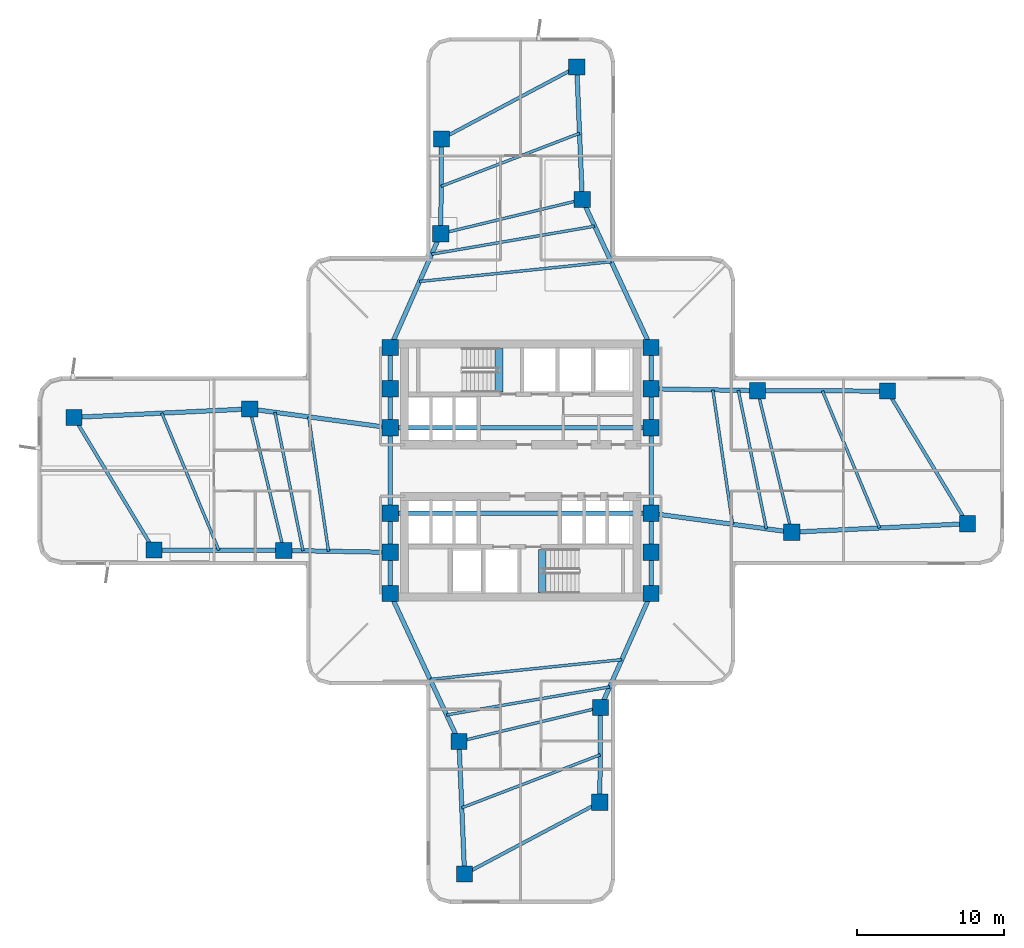
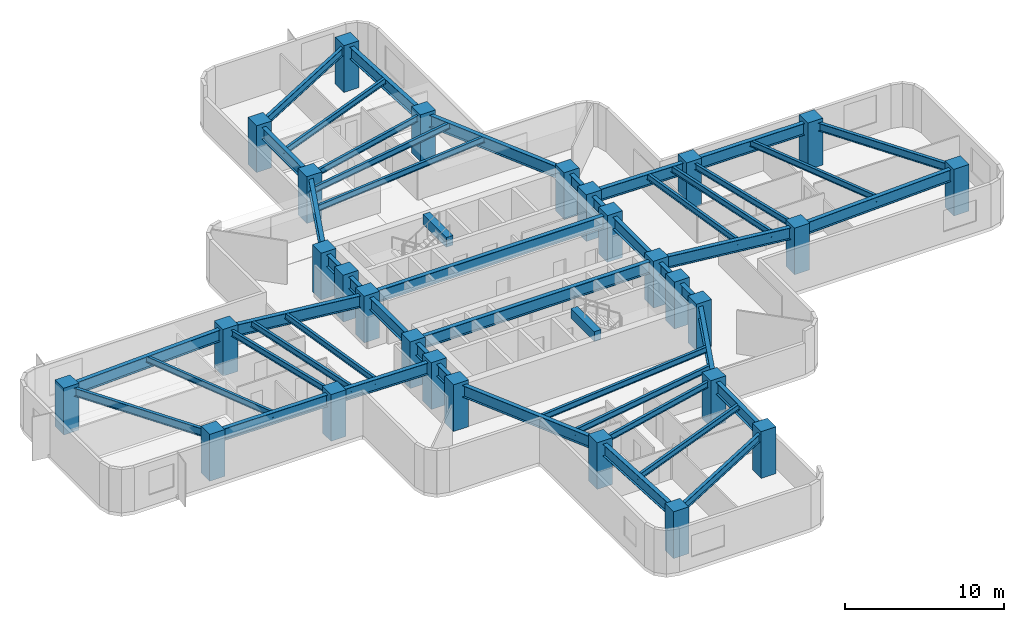
# One storey, part 1 of 9: 50 beams, 28 columns.
"""IFC4 building model written with IfcOpenShell, lengths in metres."""

from ifc_helpers import new_model, si_unit, direction, frame, origin, origin_2d, place, context, subcontext, project, spatial, rectangle, i_section, extrude, material, material_profile, profile_set, type_object, element, save


model = new_model("IFC4")

# Units and contexts
model_context = context("Model", 3, precision=1e-05, world=origin(), true_north=direction((0.0, 1.0)))
body_context = subcontext(model_context, "Body", "Model", "MODEL_VIEW")
ifc_project = project(units=[si_unit("LENGTHUNIT", "METRE"), si_unit("AREAUNIT", "SQUARE_METRE"), si_unit("VOLUMEUNIT", "CUBIC_METRE"), si_unit("PLANEANGLEUNIT", "RADIAN"), si_unit("MASSUNIT", "GRAM", prefix="KILO")], contexts=[model_context])

# Site, building, storey
site_placement = place(None, origin())
site = spatial("IfcSite", under=ifc_project, at=site_placement, CompositionType="ELEMENT")
building_placement = place(site_placement, origin())
building = spatial("IfcBuilding", under=site, at=building_placement, Name="Solmarez Civic Tower", CompositionType="ELEMENT")
storey_placement = place(building_placement, frame((0.0, 0.0, 28.080078125)))
storey = spatial("IfcBuildingStorey", under=building, at=storey_placement, Name="L06", CompositionType="ELEMENT", Elevation=28.080078125)

# Columns
ifc_material_1 = material(Name="Concrete C60/75", Category="concrete")
ifc_material_profile_1 = material_profile(ifc_material_1, rectangle(XDim=1.10009765625, YDim=1.10009765625, at=origin_2d()), Name="RC1100X1100")
ifc_profile_set_1 = profile_set([ifc_material_profile_1], Name="Concrete C60/75")
column_type = type_object("IfcColumnType", Name="COL-RC1100", PredefinedType="COLUMN", material=ifc_profile_set_1)
for number, where, z_axis, x_axis, name in (
    (1, (-8.85009765625, -5.550048828125, 0.0), (0.0, 0.0, 1.0), (1.0, 0.0, 0.0), "L06 Structural Column HC1"),
    (2, (-8.85009765625, -2.89990234375, 0.0), (0.0, 0.0, 1.0), (1.0, 0.0, 0.0), "L06 Structural Column HC2"),
    (3, (-8.85009765625, 2.89990234375, 0.0), (0.0, 0.0, 1.0), (1.0, 0.0, 0.0), "L06 Structural Column HC3"),
    (4, (-8.85009765625, 5.550048828125, 0.0), (0.0, 0.0, 1.0), (1.0, 0.0, 0.0), "L06 Structural Column HC4"),
    (5, (8.85009765625, -5.550048828125, 0.0), (0.0, 0.0, 1.0), (1.0, 0.0, 0.0), "L06 Structural Column HC5"),
    (6, (8.85009765625, -2.89990234375, 0.0), (0.0, 0.0, 1.0), (1.0, 0.0, 0.0), "L06 Structural Column HC6"),
    (7, (8.85009765625, 2.89990234375, 0.0), (0.0, 0.0, 1.0), (1.0, 0.0, 0.0), "L06 Structural Column HC7"),
    (8, (8.85009765625, 5.550048828125, 0.0), (0.0, 0.0, 1.0), (1.0, 0.0, 0.0), "L06 Structural Column HC8"),
    (9, (-8.85009765625, 8.35009765625, 0.0), (0.0, 0.0, 1.0), (1.0, 0.0, 0.0), "L06 Structural Column HC9"),
    (10, (8.85009765625, -8.35009765625, 0.0), (0.0, 0.0, 1.0), (1.0, 0.0, 0.0), "L06 Structural Column HC10"),
    (11, (8.85009765625, 8.35009765625, 0.0), (0.0, 0.0, 1.0), (1.0, 0.0, 0.0), "L06 Structural Column HC11"),
    (12, (-8.85009765625, -8.35009765625, 0.0), (0.0, 0.0, 1.0), (1.0, 0.0, 0.0), "L06 Structural Column HC12"),
    (13, (18.39111328125, -4.18408203125, 0.0), (0.0, 0.0, 1.0), (1.0, 0.0, 0.0), "L06 Structural Column EA11"),
    (14, (16.075927734375, 5.4208984375, 0.0), (0.0, 0.0, 1.0), (1.0, 0.0, 0.0), "L06 Structural Column EA12"),
    (15, (30.318115234375, -3.60888671875, 0.0), (0.0, 0.0, 1.0), (1.0, 0.0, 0.0), "L06 Structural Column EA21"),
    (16, (24.887939453125, 5.39306640625, 0.0), (0.0, 0.0, 1.0), (1.0, 0.0, 0.0), "L06 Structural Column EA22"),
    (17, (4.18408203125, 18.39111328125, 0.0), (0.0, 0.0, 1.0), (1.0, 0.0, 0.0), "L06 Structural Column NA11"),
    (18, (-5.4208984375, 16.075927734375, 0.0), (0.0, 0.0, 1.0), (1.0, 0.0, 0.0), "L06 Structural Column NA12"),
    (19, (3.806884765625, 27.383056640625, 0.0), (0.0, 0.0, 1.0), (1.0, 0.0, 0.0), "L06 Structural Column NA21"),
    (20, (-5.3720703125, 22.507080078125, 0.0), (0.0, 0.0, 1.0), (1.0, 0.0, 0.0), "L06 Structural Column NA22"),
    (21, (-18.39111328125, 4.18408203125, 0.0), (0.0, 0.0, 1.0), (1.0, 0.0, 0.0), "L06 Structural Column WA11"),
    (22, (-16.075927734375, -5.4208984375, 0.0), (0.0, 0.0, 1.0), (1.0, 0.0, 0.0), "L06 Structural Column WA12"),
    (23, (-30.318115234375, 3.60888671875, 0.0), (0.0, 0.0, 1.0), (1.0, 0.0, 0.0), "L06 Structural Column WA21"),
    (24, (-24.887939453125, -5.39306640625, 0.0), (0.0, 0.0, 1.0), (1.0, 0.0, 0.0), "L06 Structural Column WA22"),
    (25, (-4.18408203125, -18.39111328125, 0.0), (0.0, 0.0, 1.0), (1.0, 0.0, 0.0), "L06 Structural Column SA11"),
    (26, (5.4208984375, -16.075927734375, 0.0), (0.0, 0.0, 1.0), (1.0, 0.0, 0.0), "L06 Structural Column SA12"),
    (27, (-3.806884765625, -27.383056640625, 0.0), (0.0, 0.0, 1.0), (1.0, 0.0, 0.0), "L06 Structural Column SA21"),
    (28, (5.3720703125, -22.507080078125, 0.0), (0.0, 0.0, 1.0), (1.0, 0.0, 0.0), "L06 Structural Column SA22"),
):
    element("IfcColumn", number, at=place(storey_placement, frame(where, z_axis=z_axis, x_axis=x_axis)), inside=storey, type_object=column_type, Name=name, PredefinedType="COLUMN", context=body_context, shape_type="SweptSolid", body=[
        extrude(rectangle(XDim=1.10009765625, YDim=1.10009765625, at=origin_2d()), origin(), (0.0, 0.0, 1.0), 3.599853515625),
    ])

# Beams
ifc_material_2 = material(Name="Steel S355", Category="steel")
ifc_material_profile_2 = material_profile(ifc_material_2, i_section(OverallWidth=0.19189453125, OverallDepth=0.462890625, WebThickness=0.010498046875, FlangeThickness=0.017578125, at=origin_2d()), Name="W18X60")
ifc_profile_set_2 = profile_set([ifc_material_profile_2], Name="Steel S355")
beam_type_1 = type_object("IfcBeamType", Name="BM-JS-W18X60", PredefinedType="JOIST", material=ifc_profile_set_2)
beam_1_placement = place(storey_placement, frame((18.39111328125, -4.18408203125, 3.10888671875), z_axis=(-0.234328919867, 0.97215737271, 0.0), x_axis=(-0.97215737271, -0.234328919867, 0.0)))
element("IfcBeam", 29, at=beam_1_placement, inside=storey, type_object=beam_type_1, Name="L06 Secondary Floor Joist BM-L06-EA-T1", PredefinedType="JOIST", context=body_context, shape_type="SweptSolid", body=[
    extrude(i_section(OverallWidth=0.19189453125, OverallDepth=0.462890625, WebThickness=0.010498046875, FlangeThickness=0.017578125, at=origin_2d()), origin(), (0.0, 0.0, 1.0), 9.880126953125),
])
beam_2_placement = place(storey_placement, frame((24.35498046875, -3.89697265625, 3.10888671875), z_axis=(-0.384310898391, 0.923203733408, 0.0), x_axis=(-0.923203733408, -0.384310898391, 0.0)))
element("IfcBeam", 30, at=beam_2_placement, inside=storey, type_object=beam_type_1, Name="L06 Secondary Floor Joist JS-L06-EA-M2", PredefinedType="JOIST", context=body_context, shape_type="SweptSolid", body=[
    extrude(i_section(OverallWidth=0.19189453125, OverallDepth=0.462890625, WebThickness=0.010498046875, FlangeThickness=0.017578125, at=origin_2d()), origin(), (0.0, 0.0, 1.0), 10.077880859375),
])
beam_3_placement = place(storey_placement, frame((14.384033203125, -3.64501953125, 3.10888671875), z_axis=(-0.145687649447, 0.989330636743, 0.0), x_axis=(-0.989330636743, -0.145687649447, 0.0)))
element("IfcBeam", 31, at=beam_3_placement, inside=storey, type_object=beam_type_1, Name="L06 Secondary Floor Joist JS-L06-EA-M11", PredefinedType="JOIST", context=body_context, shape_type="SweptSolid", body=[
    extrude(i_section(OverallWidth=0.19189453125, OverallDepth=0.462890625, WebThickness=0.010498046875, FlangeThickness=0.017578125, at=origin_2d()), origin(), (0.0, 0.0, 1.0), 9.218505859375),
])
beam_4_placement = place(storey_placement, frame((16.674072265625, -3.952880859375, 3.10888671875), z_axis=(-0.198099134772, 0.980181989634, 0.0), x_axis=(-0.980181989634, -0.198099134772, 0.0)))
element("IfcBeam", 32, at=beam_4_placement, inside=storey, type_object=beam_type_1, Name="L06 Secondary Floor Joist JS-L06-EA-M12", PredefinedType="JOIST", context=body_context, shape_type="SweptSolid", body=[
    extrude(i_section(OverallWidth=0.19189453125, OverallDepth=0.462890625, WebThickness=0.010498046875, FlangeThickness=0.017578125, at=origin_2d()), origin(), (0.0, 0.0, 1.0), 9.5869140625),
])
beam_5_placement = place(storey_placement, frame((4.18408203125, 18.39111328125, 3.10888671875), z_axis=(-0.97215737271, -0.234328919867, 0.0), x_axis=(0.234328919867, -0.97215737271, 0.0)))
element("IfcBeam", 33, at=beam_5_placement, inside=storey, type_object=beam_type_1, Name="L06 Secondary Floor Joist BM-L06-NA-T1", PredefinedType="JOIST", context=body_context, shape_type="SweptSolid", body=[
    extrude(i_section(OverallWidth=0.19189453125, OverallDepth=0.462890625, WebThickness=0.010498046875, FlangeThickness=0.017578125, at=origin_2d()), origin(), (0.0, 0.0, 1.0), 9.880126953125),
])
beam_6_placement = place(storey_placement, frame((3.9951171875, 22.886962890625, 3.10888671875), z_axis=(-0.933878315551, -0.357590955903, 0.0), x_axis=(0.357590955903, -0.933878315551, 0.0)))
element("IfcBeam", 34, at=beam_6_placement, inside=storey, type_object=beam_type_1, Name="L06 Secondary Floor Joist JS-L06-NA-M2", PredefinedType="JOIST", context=body_context, shape_type="SweptSolid", body=[
    extrude(i_section(OverallWidth=0.19189453125, OverallDepth=0.462890625, WebThickness=0.010498046875, FlangeThickness=0.017578125, at=origin_2d()), origin(), (0.0, 0.0, 1.0), 10.05615234375),
])
beam_7_placement = place(storey_placement, frame((6.14404296875, 14.174072265625, 3.10888671875), z_axis=(-0.9947100999, -0.102722038325, 0.0), x_axis=(0.102722038325, -0.9947100999, 0.0)))
element("IfcBeam", 35, at=beam_7_placement, inside=storey, type_object=beam_type_1, Name="L06 Secondary Floor Joist JS-L06-NA-M11", PredefinedType="JOIST", context=body_context, shape_type="SweptSolid", body=[
    extrude(i_section(OverallWidth=0.19189453125, OverallDepth=0.462890625, WebThickness=0.010498046875, FlangeThickness=0.017578125, at=origin_2d()), origin(), (0.0, 0.0, 1.0), 13.07421875),
])
beam_8_placement = place(storey_placement, frame((5.02392578125, 16.583984375, 3.10888671875), z_axis=(-0.985583934907, -0.169187195889, 0.0), x_axis=(0.169187195889, -0.985583934907, 0.0)))
element("IfcBeam", 36, at=beam_8_placement, inside=storey, type_object=beam_type_1, Name="L06 Secondary Floor Joist JS-L06-NA-M12", PredefinedType="JOIST", context=body_context, shape_type="SweptSolid", body=[
    extrude(i_section(OverallWidth=0.19189453125, OverallDepth=0.462890625, WebThickness=0.010498046875, FlangeThickness=0.017578125, at=origin_2d()), origin(), (0.0, 0.0, 1.0), 11.223876953125),
])
beam_9_placement = place(storey_placement, frame((-18.39111328125, 4.18408203125, 3.10888671875), z_axis=(0.234328919867, -0.97215737271, 0.0), x_axis=(0.97215737271, 0.234328919867, 0.0)))
element("IfcBeam", 37, at=beam_9_placement, inside=storey, type_object=beam_type_1, Name="L06 Secondary Floor Joist BM-L06-WA-T1", PredefinedType="JOIST", context=body_context, shape_type="SweptSolid", body=[
    extrude(i_section(OverallWidth=0.19189453125, OverallDepth=0.462890625, WebThickness=0.010498046875, FlangeThickness=0.017578125, at=origin_2d()), origin(), (0.0, 0.0, 1.0), 9.880126953125),
])
beam_10_placement = place(storey_placement, frame((-24.35498046875, 3.89697265625, 3.10888671875), z_axis=(0.384310898391, -0.923203733408, 0.0), x_axis=(0.923203733408, 0.384310898391, 0.0)))
element("IfcBeam", 38, at=beam_10_placement, inside=storey, type_object=beam_type_1, Name="L06 Secondary Floor Joist JS-L06-WA-M2", PredefinedType="JOIST", context=body_context, shape_type="SweptSolid", body=[
    extrude(i_section(OverallWidth=0.19189453125, OverallDepth=0.462890625, WebThickness=0.010498046875, FlangeThickness=0.017578125, at=origin_2d()), origin(), (0.0, 0.0, 1.0), 10.077880859375),
])
beam_11_placement = place(storey_placement, frame((-14.384033203125, 3.64501953125, 3.10888671875), z_axis=(0.145687649447, -0.989330636743, 0.0), x_axis=(0.989330636743, 0.145687649447, 0.0)))
element("IfcBeam", 39, at=beam_11_placement, inside=storey, type_object=beam_type_1, Name="L06 Secondary Floor Joist JS-L06-WA-M11", PredefinedType="JOIST", context=body_context, shape_type="SweptSolid", body=[
    extrude(i_section(OverallWidth=0.19189453125, OverallDepth=0.462890625, WebThickness=0.010498046875, FlangeThickness=0.017578125, at=origin_2d()), origin(), (0.0, 0.0, 1.0), 9.218505859375),
])
beam_12_placement = place(storey_placement, frame((-16.674072265625, 3.952880859375, 3.10888671875), z_axis=(0.198099134772, -0.980181989634, 0.0), x_axis=(0.980181989634, 0.198099134772, 0.0)))
element("IfcBeam", 40, at=beam_12_placement, inside=storey, type_object=beam_type_1, Name="L06 Secondary Floor Joist JS-L06-WA-M12", PredefinedType="JOIST", context=body_context, shape_type="SweptSolid", body=[
    extrude(i_section(OverallWidth=0.19189453125, OverallDepth=0.462890625, WebThickness=0.010498046875, FlangeThickness=0.017578125, at=origin_2d()), origin(), (0.0, 0.0, 1.0), 9.5869140625),
])
beam_13_placement = place(storey_placement, frame((-4.18408203125, -18.39111328125, 3.10888671875), z_axis=(0.97215737271, 0.234328919867, 0.0), x_axis=(-0.234328919867, 0.97215737271, 0.0)))
element("IfcBeam", 41, at=beam_13_placement, inside=storey, type_object=beam_type_1, Name="L06 Secondary Floor Joist BM-L06-SA-T1", PredefinedType="JOIST", context=body_context, shape_type="SweptSolid", body=[
    extrude(i_section(OverallWidth=0.19189453125, OverallDepth=0.462890625, WebThickness=0.010498046875, FlangeThickness=0.017578125, at=origin_2d()), origin(), (0.0, 0.0, 1.0), 9.880126953125),
])
beam_14_placement = place(storey_placement, frame((-3.9951171875, -22.886962890625, 3.10888671875), z_axis=(0.933878315551, 0.357590955903, 0.0), x_axis=(-0.357590955903, 0.933878315551, 0.0)))
element("IfcBeam", 42, at=beam_14_placement, inside=storey, type_object=beam_type_1, Name="L06 Secondary Floor Joist JS-L06-SA-M2", PredefinedType="JOIST", context=body_context, shape_type="SweptSolid", body=[
    extrude(i_section(OverallWidth=0.19189453125, OverallDepth=0.462890625, WebThickness=0.010498046875, FlangeThickness=0.017578125, at=origin_2d()), origin(), (0.0, 0.0, 1.0), 10.05615234375),
])
beam_15_placement = place(storey_placement, frame((-6.14404296875, -14.174072265625, 3.10888671875), z_axis=(0.9947100999, 0.102722038325, 0.0), x_axis=(-0.102722038325, 0.9947100999, 0.0)))
element("IfcBeam", 43, at=beam_15_placement, inside=storey, type_object=beam_type_1, Name="L06 Secondary Floor Joist JS-L06-SA-M11", PredefinedType="JOIST", context=body_context, shape_type="SweptSolid", body=[
    extrude(i_section(OverallWidth=0.19189453125, OverallDepth=0.462890625, WebThickness=0.010498046875, FlangeThickness=0.017578125, at=origin_2d()), origin(), (0.0, 0.0, 1.0), 13.07421875),
])
beam_16_placement = place(storey_placement, frame((-5.02392578125, -16.583984375, 3.10888671875), z_axis=(0.985583934907, 0.169187195889, 0.0), x_axis=(-0.169187195889, 0.985583934907, 0.0)))
element("IfcBeam", 44, at=beam_16_placement, inside=storey, type_object=beam_type_1, Name="L06 Secondary Floor Joist JS-L06-SA-M12", PredefinedType="JOIST", context=body_context, shape_type="SweptSolid", body=[
    extrude(i_section(OverallWidth=0.19189453125, OverallDepth=0.462890625, WebThickness=0.010498046875, FlangeThickness=0.017578125, at=origin_2d()), origin(), (0.0, 0.0, 1.0), 11.223876953125),
])
ifc_material_3 = material(Name="Concrete C50/60", Category="concrete")
ifc_material_profile_3 = material_profile(ifc_material_3, rectangle(XDim=0.5, YDim=0.75, at=origin_2d()), Name="RC500X750")
ifc_profile_set_3 = profile_set([ifc_material_profile_3], Name="Concrete C50/60")
beam_type_2 = type_object("IfcBeamType", Name="BM-PR-RC500X750", PredefinedType="BEAM", material=ifc_profile_set_3)
for number, where, z_axis, x_axis, name in (
    (45, (-1.449951171875, 5.340087890625, 3.23291015625), (0.0, 1.0, 0.0), (-1.0, 0.0, 0.0), "L06 North Stair Threshold Beam"),
    (46, (1.449951171875, -8.300048828125, 3.23291015625), (0.0, 1.0, 0.0), (-1.0, 0.0, 0.0), "L06 South Stair Threshold Beam"),
):
    element("IfcBeam", number, at=place(storey_placement, frame(where, z_axis=z_axis, x_axis=x_axis)), inside=storey, type_object=beam_type_2, Name=name, PredefinedType="BEAM", context=body_context, shape_type="SweptSolid", body=[
        extrude(rectangle(XDim=0.5, YDim=0.75, at=origin_2d()), origin(), (0.0, 0.0, 1.0), 2.9599609375),
    ])
ifc_material_profile_4 = material_profile(ifc_material_2, i_section(OverallWidth=0.303955078125, OverallDepth=0.910888671875, WebThickness=0.015869140625, FlangeThickness=0.02392578125, at=origin_2d()), Name="W36X150")
ifc_profile_set_4 = profile_set([ifc_material_profile_4], Name="Steel S355")
beam_type_3 = type_object("IfcBeamType", Name="BM-PR-W36X150", PredefinedType="BEAM", material=ifc_profile_set_4)
beam_17_placement = place(storey_placement, frame((8.85009765625, -2.89990234375, 2.885009765625), z_axis=(0.991063240718, -0.133392851745, 0.0), x_axis=(0.133392851745, 0.991063240718, 0.0)))
element("IfcBeam", 47, at=beam_17_placement, inside=storey, type_object=beam_type_3, Name="L06 Primary Floor Beam BM-L06-EA-R1A", PredefinedType="BEAM", context=body_context, shape_type="SweptSolid", body=[
    extrude(i_section(OverallWidth=0.303955078125, OverallDepth=0.910888671875, WebThickness=0.015869140625, FlangeThickness=0.02392578125, at=origin_2d()), origin(), (0.0, 0.0, 1.0), 9.626953125),
])
beam_18_placement = place(storey_placement, frame((8.85009765625, 5.550048828125, 2.885009765625), z_axis=(0.999840308455, -0.017870578882, 0.0), x_axis=(0.017870578882, 0.999840308455, 0.0)))
element("IfcBeam", 48, at=beam_18_placement, inside=storey, type_object=beam_type_3, Name="L06 Primary Floor Beam BM-L06-EA-R1B", PredefinedType="BEAM", context=body_context, shape_type="SweptSolid", body=[
    extrude(i_section(OverallWidth=0.303955078125, OverallDepth=0.910888671875, WebThickness=0.015869140625, FlangeThickness=0.02392578125, at=origin_2d()), origin(), (0.0, 0.0, 1.0), 7.22705078125),
])
beam_19_placement = place(storey_placement, frame((18.39111328125, -4.18408203125, 2.885009765625), z_axis=(0.998839135977, 0.048170327398, 0.0), x_axis=(-0.048170327398, 0.998839135977, 0.0)))
element("IfcBeam", 49, at=beam_19_placement, inside=storey, type_object=beam_type_3, Name="L06 Primary Floor Beam BM-L06-EA-R2A", PredefinedType="BEAM", context=body_context, shape_type="SweptSolid", body=[
    extrude(i_section(OverallWidth=0.303955078125, OverallDepth=0.910888671875, WebThickness=0.015869140625, FlangeThickness=0.02392578125, at=origin_2d()), origin(), (0.0, 0.0, 1.0), 11.94091796875),
])
beam_20_placement = place(storey_placement, frame((16.075927734375, 5.4208984375, 2.885009765625), z_axis=(0.99999501223, -0.003158403928, 0.0), x_axis=(0.003158403928, 0.99999501223, 0.0)))
element("IfcBeam", 50, at=beam_20_placement, inside=storey, type_object=beam_type_3, Name="L06 Primary Floor Beam BM-L06-EA-R2B", PredefinedType="BEAM", context=body_context, shape_type="SweptSolid", body=[
    extrude(i_section(OverallWidth=0.303955078125, OverallDepth=0.910888671875, WebThickness=0.015869140625, FlangeThickness=0.02392578125, at=origin_2d()), origin(), (0.0, 0.0, 1.0), 8.81201171875),
])
beam_21_placement = place(storey_placement, frame((8.85009765625, 8.35009765625, 2.885009765625), z_axis=(-0.421417065364, 0.906866945599, 0.0), x_axis=(-0.906866945599, -0.421417065364, 0.0)))
element("IfcBeam", 51, at=beam_21_placement, inside=storey, type_object=beam_type_3, Name="L06 Primary Floor Beam BM-L06-NA-R1A", PredefinedType="BEAM", context=body_context, shape_type="SweptSolid", body=[
    extrude(i_section(OverallWidth=0.303955078125, OverallDepth=0.910888671875, WebThickness=0.015869140625, FlangeThickness=0.02392578125, at=origin_2d()), origin(), (0.0, 0.0, 1.0), 11.072265625),
])
beam_22_placement = place(storey_placement, frame((-8.85009765625, 8.35009765625, 2.885009765625), z_axis=(0.405693556952, 0.914009156326, 0.0), x_axis=(-0.914009156326, 0.405693556952, 0.0)))
element("IfcBeam", 52, at=beam_22_placement, inside=storey, type_object=beam_type_3, Name="L06 Primary Floor Beam BM-L06-NA-R1B", PredefinedType="BEAM", context=body_context, shape_type="SweptSolid", body=[
    extrude(i_section(OverallWidth=0.303955078125, OverallDepth=0.910888671875, WebThickness=0.015869140625, FlangeThickness=0.02392578125, at=origin_2d()), origin(), (0.0, 0.0, 1.0), 8.45263671875),
])
beam_23_placement = place(storey_placement, frame((4.18408203125, 18.39111328125, 2.885009765625), z_axis=(-0.041911499832, 0.999121327058, 0.0), x_axis=(-0.999121327058, -0.041911499832, 0.0)))
element("IfcBeam", 53, at=beam_23_placement, inside=storey, type_object=beam_type_3, Name="L06 Primary Floor Beam BM-L06-NA-R2A", PredefinedType="BEAM", context=body_context, shape_type="SweptSolid", body=[
    extrude(i_section(OverallWidth=0.303955078125, OverallDepth=0.910888671875, WebThickness=0.015869140625, FlangeThickness=0.02392578125, at=origin_2d()), origin(), (0.0, 0.0, 1.0), 8.999755859375),
])
beam_24_placement = place(storey_placement, frame((-5.4208984375, 16.075927734375, 2.885009765625), z_axis=(0.007592219108, 0.999971178689, 0.0), x_axis=(-0.999971178689, 0.007592219108, 0.0)))
element("IfcBeam", 54, at=beam_24_placement, inside=storey, type_object=beam_type_3, Name="L06 Primary Floor Beam BM-L06-NA-R2B", PredefinedType="BEAM", context=body_context, shape_type="SweptSolid", body=[
    extrude(i_section(OverallWidth=0.303955078125, OverallDepth=0.910888671875, WebThickness=0.015869140625, FlangeThickness=0.02392578125, at=origin_2d()), origin(), (0.0, 0.0, 1.0), 6.431396484375),
])
beam_25_placement = place(storey_placement, frame((-8.85009765625, 2.89990234375, 2.885009765625), z_axis=(-0.991063240718, 0.133392851745, 0.0), x_axis=(-0.133392851745, -0.991063240718, 0.0)))
element("IfcBeam", 55, at=beam_25_placement, inside=storey, type_object=beam_type_3, Name="L06 Primary Floor Beam BM-L06-WA-R1A", PredefinedType="BEAM", context=body_context, shape_type="SweptSolid", body=[
    extrude(i_section(OverallWidth=0.303955078125, OverallDepth=0.910888671875, WebThickness=0.015869140625, FlangeThickness=0.02392578125, at=origin_2d()), origin(), (0.0, 0.0, 1.0), 9.626953125),
])
beam_26_placement = place(storey_placement, frame((-8.85009765625, -5.550048828125, 2.885009765625), z_axis=(-0.999840308455, 0.017870578882, 0.0), x_axis=(-0.017870578882, -0.999840308455, 0.0)))
element("IfcBeam", 56, at=beam_26_placement, inside=storey, type_object=beam_type_3, Name="L06 Primary Floor Beam BM-L06-WA-R1B", PredefinedType="BEAM", context=body_context, shape_type="SweptSolid", body=[
    extrude(i_section(OverallWidth=0.303955078125, OverallDepth=0.910888671875, WebThickness=0.015869140625, FlangeThickness=0.02392578125, at=origin_2d()), origin(), (0.0, 0.0, 1.0), 7.22705078125),
])
beam_27_placement = place(storey_placement, frame((-18.39111328125, 4.18408203125, 2.885009765625), z_axis=(-0.998839135977, -0.048170327398, 0.0), x_axis=(0.048170327398, -0.998839135977, 0.0)))
element("IfcBeam", 57, at=beam_27_placement, inside=storey, type_object=beam_type_3, Name="L06 Primary Floor Beam BM-L06-WA-R2A", PredefinedType="BEAM", context=body_context, shape_type="SweptSolid", body=[
    extrude(i_section(OverallWidth=0.303955078125, OverallDepth=0.910888671875, WebThickness=0.015869140625, FlangeThickness=0.02392578125, at=origin_2d()), origin(), (0.0, 0.0, 1.0), 11.94091796875),
])
beam_28_placement = place(storey_placement, frame((-16.075927734375, -5.4208984375, 2.885009765625), z_axis=(-0.99999501223, 0.003158403928, 0.0), x_axis=(-0.003158403928, -0.99999501223, 0.0)))
element("IfcBeam", 58, at=beam_28_placement, inside=storey, type_object=beam_type_3, Name="L06 Primary Floor Beam BM-L06-WA-R2B", PredefinedType="BEAM", context=body_context, shape_type="SweptSolid", body=[
    extrude(i_section(OverallWidth=0.303955078125, OverallDepth=0.910888671875, WebThickness=0.015869140625, FlangeThickness=0.02392578125, at=origin_2d()), origin(), (0.0, 0.0, 1.0), 8.81201171875),
])
beam_29_placement = place(storey_placement, frame((-8.85009765625, -8.35009765625, 2.885009765625), z_axis=(0.421417065364, -0.906866945599, 0.0), x_axis=(0.906866945599, 0.421417065364, 0.0)))
element("IfcBeam", 59, at=beam_29_placement, inside=storey, type_object=beam_type_3, Name="L06 Primary Floor Beam BM-L06-SA-R1A", PredefinedType="BEAM", context=body_context, shape_type="SweptSolid", body=[
    extrude(i_section(OverallWidth=0.303955078125, OverallDepth=0.910888671875, WebThickness=0.015869140625, FlangeThickness=0.02392578125, at=origin_2d()), origin(), (0.0, 0.0, 1.0), 11.072265625),
])
beam_30_placement = place(storey_placement, frame((8.85009765625, -8.35009765625, 2.885009765625), z_axis=(-0.405693556952, -0.914009156326, 0.0), x_axis=(0.914009156326, -0.405693556952, 0.0)))
element("IfcBeam", 60, at=beam_30_placement, inside=storey, type_object=beam_type_3, Name="L06 Primary Floor Beam BM-L06-SA-R1B", PredefinedType="BEAM", context=body_context, shape_type="SweptSolid", body=[
    extrude(i_section(OverallWidth=0.303955078125, OverallDepth=0.910888671875, WebThickness=0.015869140625, FlangeThickness=0.02392578125, at=origin_2d()), origin(), (0.0, 0.0, 1.0), 8.45263671875),
])
beam_31_placement = place(storey_placement, frame((-4.18408203125, -18.39111328125, 2.885009765625), z_axis=(0.041911499832, -0.999121327058, 0.0), x_axis=(0.999121327058, 0.041911499832, 0.0)))
element("IfcBeam", 61, at=beam_31_placement, inside=storey, type_object=beam_type_3, Name="L06 Primary Floor Beam BM-L06-SA-R2A", PredefinedType="BEAM", context=body_context, shape_type="SweptSolid", body=[
    extrude(i_section(OverallWidth=0.303955078125, OverallDepth=0.910888671875, WebThickness=0.015869140625, FlangeThickness=0.02392578125, at=origin_2d()), origin(), (0.0, 0.0, 1.0), 8.999755859375),
])
beam_32_placement = place(storey_placement, frame((5.4208984375, -16.075927734375, 2.885009765625), z_axis=(-0.007592219108, -0.999971178689, 0.0), x_axis=(0.999971178689, -0.007592219108, 0.0)))
element("IfcBeam", 62, at=beam_32_placement, inside=storey, type_object=beam_type_3, Name="L06 Primary Floor Beam BM-L06-SA-R2B", PredefinedType="BEAM", context=body_context, shape_type="SweptSolid", body=[
    extrude(i_section(OverallWidth=0.303955078125, OverallDepth=0.910888671875, WebThickness=0.015869140625, FlangeThickness=0.02392578125, at=origin_2d()), origin(), (0.0, 0.0, 1.0), 6.431396484375),
])
ifc_material_profile_5 = material_profile(ifc_material_2, i_section(OverallWidth=0.306884765625, OverallDepth=0.927001953125, WebThickness=0.019287109375, FlangeThickness=0.031982421875, at=origin_2d()), Name="W36X194")
ifc_profile_set_5 = profile_set([ifc_material_profile_5], Name="Steel S355")
beam_type_4 = type_object("IfcBeamType", Name="BM-PR-W36X194", PredefinedType="BEAM", material=ifc_profile_set_5)
beam_33_placement = place(storey_placement, frame((-8.85009765625, -8.35009765625, 2.876953125), z_axis=(0.0, 1.0, 0.0), x_axis=(-1.0, 0.0, 0.0)))
element("IfcBeam", 63, at=beam_33_placement, inside=storey, type_object=beam_type_4, Name="L06 Primary Floor Beam BM-L06-HC12-HC1", PredefinedType="BEAM", context=body_context, shape_type="SweptSolid", body=[
    extrude(i_section(OverallWidth=0.306884765625, OverallDepth=0.927001953125, WebThickness=0.019287109375, FlangeThickness=0.031982421875, at=origin_2d()), origin(), (0.0, 0.0, 1.0), 2.800048828125),
])
beam_34_placement = place(storey_placement, frame((-8.85009765625, -5.550048828125, 2.876953125), z_axis=(0.0, 1.0, 0.0), x_axis=(-1.0, 0.0, 0.0)))
element("IfcBeam", 64, at=beam_34_placement, inside=storey, type_object=beam_type_4, Name="L06 Primary Floor Beam BM-L06-HC1-HC2", PredefinedType="BEAM", context=body_context, shape_type="SweptSolid", body=[
    extrude(i_section(OverallWidth=0.306884765625, OverallDepth=0.927001953125, WebThickness=0.019287109375, FlangeThickness=0.031982421875, at=origin_2d()), origin(), (0.0, 0.0, 1.0), 2.650146484375),
])
beam_35_placement = place(storey_placement, frame((-8.85009765625, -2.89990234375, 2.876953125), z_axis=(0.0, 1.0, 0.0), x_axis=(-1.0, 0.0, 0.0)))
element("IfcBeam", 65, at=beam_35_placement, inside=storey, type_object=beam_type_4, Name="L06 Primary Floor Beam BM-L06-HC2-HC3", PredefinedType="BEAM", context=body_context, shape_type="SweptSolid", body=[
    extrude(i_section(OverallWidth=0.306884765625, OverallDepth=0.927001953125, WebThickness=0.019287109375, FlangeThickness=0.031982421875, at=origin_2d()), origin(), (0.0, 0.0, 1.0), 5.7998046875),
])
beam_36_placement = place(storey_placement, frame((-8.85009765625, 2.89990234375, 2.876953125), z_axis=(0.0, 1.0, 0.0), x_axis=(-1.0, 0.0, 0.0)))
element("IfcBeam", 66, at=beam_36_placement, inside=storey, type_object=beam_type_4, Name="L06 Primary Floor Beam BM-L06-HC3-HC4", PredefinedType="BEAM", context=body_context, shape_type="SweptSolid", body=[
    extrude(i_section(OverallWidth=0.306884765625, OverallDepth=0.927001953125, WebThickness=0.019287109375, FlangeThickness=0.031982421875, at=origin_2d()), origin(), (0.0, 0.0, 1.0), 2.650146484375),
])
for number, where, z_axis, x_axis, name in (
    (67, (-8.85009765625, 5.550048828125, 2.876953125), (0.0, 1.0, 0.0), (-1.0, 0.0, 0.0), "L06 Primary Floor Beam BM-L06-HC4-HC9"),
    (68, (8.85009765625, -8.35009765625, 2.876953125), (0.0, 1.0, 0.0), (-1.0, 0.0, 0.0), "L06 Primary Floor Beam BM-L06-HC10-HC5"),
):
    element("IfcBeam", number, at=place(storey_placement, frame(where, z_axis=z_axis, x_axis=x_axis)), inside=storey, type_object=beam_type_4, Name=name, PredefinedType="BEAM", context=body_context, shape_type="SweptSolid", body=[
        extrude(i_section(OverallWidth=0.306884765625, OverallDepth=0.927001953125, WebThickness=0.019287109375, FlangeThickness=0.031982421875, at=origin_2d()), origin(), (0.0, 0.0, 1.0), 2.800048828125),
    ])
beam_37_placement = place(storey_placement, frame((8.85009765625, -5.550048828125, 2.876953125), z_axis=(0.0, 1.0, 0.0), x_axis=(-1.0, 0.0, 0.0)))
element("IfcBeam", 69, at=beam_37_placement, inside=storey, type_object=beam_type_4, Name="L06 Primary Floor Beam BM-L06-HC5-HC6", PredefinedType="BEAM", context=body_context, shape_type="SweptSolid", body=[
    extrude(i_section(OverallWidth=0.306884765625, OverallDepth=0.927001953125, WebThickness=0.019287109375, FlangeThickness=0.031982421875, at=origin_2d()), origin(), (0.0, 0.0, 1.0), 2.650146484375),
])
beam_38_placement = place(storey_placement, frame((8.85009765625, -2.89990234375, 2.876953125), z_axis=(0.0, 1.0, 0.0), x_axis=(-1.0, 0.0, 0.0)))
element("IfcBeam", 70, at=beam_38_placement, inside=storey, type_object=beam_type_4, Name="L06 Primary Floor Beam BM-L06-HC6-HC7", PredefinedType="BEAM", context=body_context, shape_type="SweptSolid", body=[
    extrude(i_section(OverallWidth=0.306884765625, OverallDepth=0.927001953125, WebThickness=0.019287109375, FlangeThickness=0.031982421875, at=origin_2d()), origin(), (0.0, 0.0, 1.0), 5.7998046875),
])
beam_39_placement = place(storey_placement, frame((8.85009765625, 2.89990234375, 2.876953125), z_axis=(0.0, 1.0, 0.0), x_axis=(-1.0, 0.0, 0.0)))
element("IfcBeam", 71, at=beam_39_placement, inside=storey, type_object=beam_type_4, Name="L06 Primary Floor Beam BM-L06-HC7-HC8", PredefinedType="BEAM", context=body_context, shape_type="SweptSolid", body=[
    extrude(i_section(OverallWidth=0.306884765625, OverallDepth=0.927001953125, WebThickness=0.019287109375, FlangeThickness=0.031982421875, at=origin_2d()), origin(), (0.0, 0.0, 1.0), 2.650146484375),
])
beam_40_placement = place(storey_placement, frame((8.85009765625, 5.550048828125, 2.876953125), z_axis=(0.0, 1.0, 0.0), x_axis=(-1.0, 0.0, 0.0)))
element("IfcBeam", 72, at=beam_40_placement, inside=storey, type_object=beam_type_4, Name="L06 Primary Floor Beam BM-L06-HC8-HC11", PredefinedType="BEAM", context=body_context, shape_type="SweptSolid", body=[
    extrude(i_section(OverallWidth=0.306884765625, OverallDepth=0.927001953125, WebThickness=0.019287109375, FlangeThickness=0.031982421875, at=origin_2d()), origin(), (0.0, 0.0, 1.0), 2.800048828125),
])
for number, where, z_axis, x_axis, name in (
    (73, (-8.85009765625, -2.89990234375, 2.876953125), (1.0, 0.0, 0.0), (0.0, 1.0, 0.0), "L06 Primary Floor Beam BM-L06-HC2-HC6"),
    (74, (-8.85009765625, 2.89990234375, 2.876953125), (1.0, 0.0, 0.0), (0.0, 1.0, 0.0), "L06 Primary Floor Beam BM-L06-HC3-HC7"),
):
    element("IfcBeam", number, at=place(storey_placement, frame(where, z_axis=z_axis, x_axis=x_axis)), inside=storey, type_object=beam_type_4, Name=name, PredefinedType="BEAM", context=body_context, shape_type="SweptSolid", body=[
        extrude(i_section(OverallWidth=0.306884765625, OverallDepth=0.927001953125, WebThickness=0.019287109375, FlangeThickness=0.031982421875, at=origin_2d()), origin(), (0.0, 0.0, 1.0), 17.7001953125),
    ])
ifc_material_profile_6 = material_profile(ifc_material_2, i_section(OverallWidth=0.22900390625, OverallDepth=0.612060546875, WebThickness=0.011962890625, FlangeThickness=0.01953125, at=origin_2d()), Name="W24X84")
ifc_profile_set_6 = profile_set([ifc_material_profile_6], Name="Steel S355")
beam_type_5 = type_object("IfcBeamType", Name="BM-SP-W24X84", PredefinedType="SPANDREL", material=ifc_profile_set_6)
beam_41_placement = place(storey_placement, frame((30.318115234375, -3.60888671875, 3.033935546875), z_axis=(-0.516522901024, 0.856273374991, 0.0), x_axis=(-0.856273374991, -0.516522901024, 0.0)))
element("IfcBeam", 75, at=beam_41_placement, inside=storey, type_object=beam_type_5, Name="L06 Perimeter Spandrel Beam BM-L06-EA-T2", PredefinedType="SPANDREL", context=body_context, shape_type="SweptSolid", body=[
    extrude(i_section(OverallWidth=0.22900390625, OverallDepth=0.612060546875, WebThickness=0.011962890625, FlangeThickness=0.01953125, at=origin_2d()), origin(), (0.0, 0.0, 1.0), 10.512939453125),
])
beam_42_placement = place(storey_placement, frame((3.806884765625, 27.383056640625, 3.033935546875), z_axis=(-0.883129404808, -0.469129464394, 0.0), x_axis=(0.469129464394, -0.883129404808, 0.0)))
element("IfcBeam", 76, at=beam_42_placement, inside=storey, type_object=beam_type_5, Name="L06 Perimeter Spandrel Beam BM-L06-NA-T2", PredefinedType="SPANDREL", context=body_context, shape_type="SweptSolid", body=[
    extrude(i_section(OverallWidth=0.22900390625, OverallDepth=0.612060546875, WebThickness=0.011962890625, FlangeThickness=0.01953125, at=origin_2d()), origin(), (0.0, 0.0, 1.0), 10.3935546875),
])
beam_43_placement = place(storey_placement, frame((-30.318115234375, 3.60888671875, 3.033935546875), z_axis=(0.516522901024, -0.856273374991, 0.0), x_axis=(0.856273374991, 0.516522901024, 0.0)))
element("IfcBeam", 77, at=beam_43_placement, inside=storey, type_object=beam_type_5, Name="L06 Perimeter Spandrel Beam BM-L06-WA-T2", PredefinedType="SPANDREL", context=body_context, shape_type="SweptSolid", body=[
    extrude(i_section(OverallWidth=0.22900390625, OverallDepth=0.612060546875, WebThickness=0.011962890625, FlangeThickness=0.01953125, at=origin_2d()), origin(), (0.0, 0.0, 1.0), 10.512939453125),
])
beam_44_placement = place(storey_placement, frame((-3.806884765625, -27.383056640625, 3.033935546875), z_axis=(0.883129404808, 0.469129464394, 0.0), x_axis=(-0.469129464394, 0.883129404808, 0.0)))
element("IfcBeam", 78, at=beam_44_placement, inside=storey, type_object=beam_type_5, Name="L06 Perimeter Spandrel Beam BM-L06-SA-T2", PredefinedType="SPANDREL", context=body_context, shape_type="SweptSolid", body=[
    extrude(i_section(OverallWidth=0.22900390625, OverallDepth=0.612060546875, WebThickness=0.011962890625, FlangeThickness=0.01953125, at=origin_2d()), origin(), (0.0, 0.0, 1.0), 10.3935546875),
])

save(model, "model.ifc")
